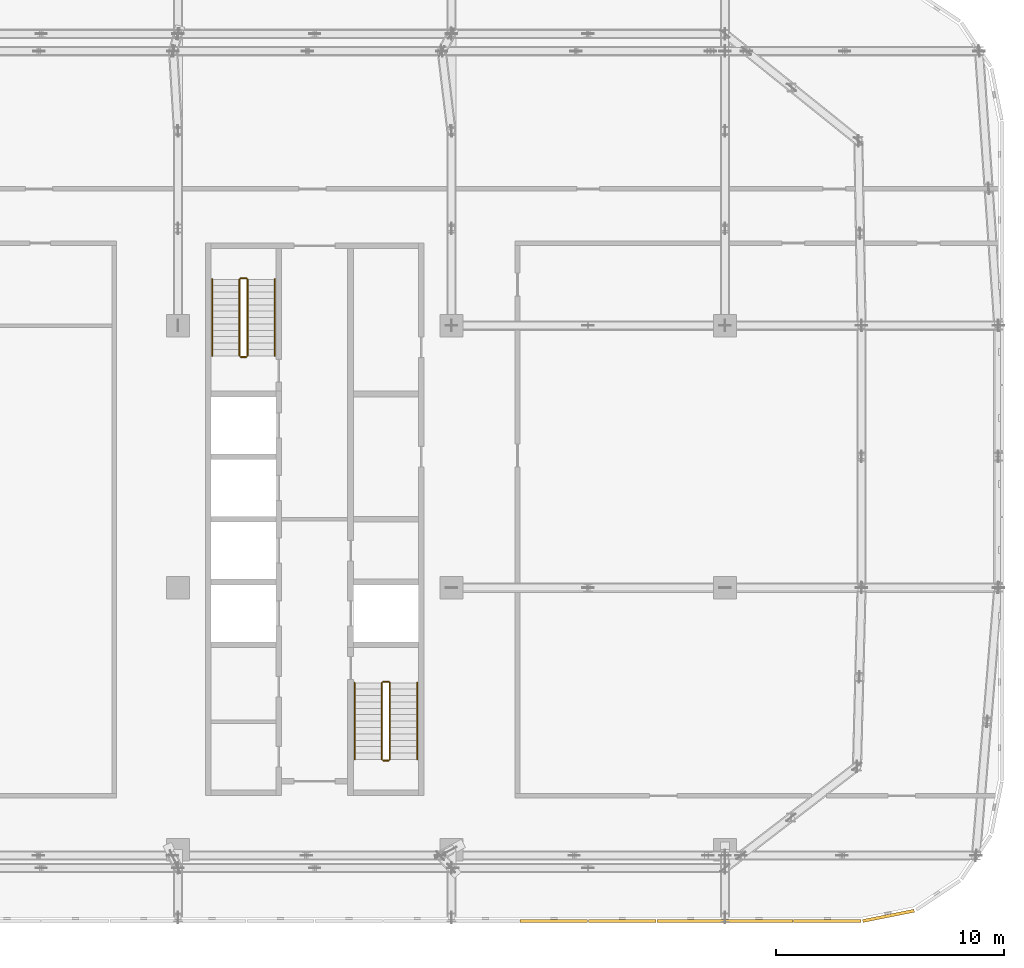
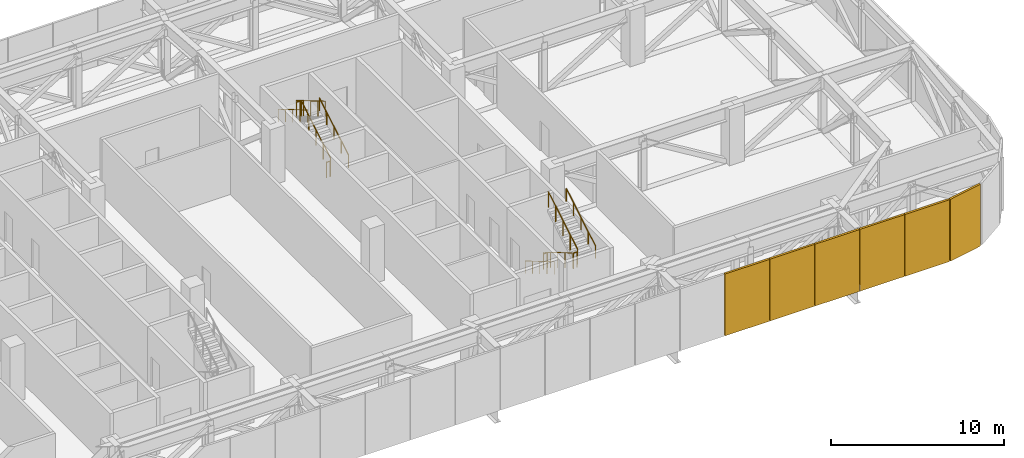
# One storey, part 28 of 29: 12 railings, 6 coverings.
"""IFC4 building model written with IfcOpenShell, lengths in metres."""

from ifc_helpers import new_model, si_unit, direction, frame, origin, origin_2d, place, context, subcontext, project, spatial, rectangle, circle, extrude, material, type_object, element, save


model = new_model("IFC4")

# Units and contexts
model_context = context("Model", 3, precision=1e-05, world=origin(), true_north=direction((0.0, 1.0)))
body_context = subcontext(model_context, "Body", "Model", "MODEL_VIEW")
ifc_project = project(units=[si_unit("LENGTHUNIT", "METRE"), si_unit("AREAUNIT", "SQUARE_METRE"), si_unit("VOLUMEUNIT", "CUBIC_METRE"), si_unit("PLANEANGLEUNIT", "RADIAN"), si_unit("MASSUNIT", "GRAM", prefix="KILO")], contexts=[model_context])

# Site, building, storey
site_placement = place(None, origin())
site = spatial("IfcSite", under=ifc_project, at=site_placement, CompositionType="ELEMENT")
building_placement = place(site_placement, origin())
building = spatial("IfcBuilding", under=site, at=building_placement, Name="Mahtab Terrace Research Tower", CompositionType="ELEMENT")
storey_placement = place(building_placement, frame((0.0, 0.0, 259.0)))
storey = spatial("IfcBuildingStorey", under=building, at=storey_placement, Name="L63", CompositionType="ELEMENT", Elevation=259.0)

# Coverings
ifc_material_1 = material(Name="Natural anodised aluminium", Category="aluminium")
covering_type = type_object("IfcCoveringType", Name="Plant storey louvre bay", PredefinedType="CLADDING", material=ifc_material_1)
for number, where, z_axis, x_axis, name in (
    (1, (34.5, -14.633056640625, -0.39990234375), (0.0, 0.0, 1.0), (1.0, 0.0, 0.0), "Louvre bay L63 25"),
    (2, (37.5, -14.633056640625, -0.39990234375), (0.0, 0.0, 1.0), (1.0, 0.0, 0.0), "Louvre bay L63 26"),
    (3, (40.5, -14.633056640625, -0.39990234375), (0.0, 0.0, 1.0), (1.0, 0.0, 0.0), "Louvre bay L63 27"),
    (4, (43.5, -14.633056640625, -0.39990234375), (0.0, 0.0, 1.0), (1.0, 0.0, 0.0), "Louvre bay L63 28"),
    (5, (46.5, -14.633056640625, -0.39990234375), (0.0, 0.0, 1.0), (1.0, 0.0, 0.0), "Louvre bay L63 29"),
):
    element("IfcCovering", number, at=place(storey_placement, frame(where, z_axis=z_axis, x_axis=x_axis)), inside=storey, type_object=covering_type, Name=name, PredefinedType="CLADDING", context=body_context, shape_type="SweptSolid", body=[
        extrude(rectangle(XDim=2.9599609375, YDim=0.139892578125, at=origin_2d()), origin(), (0.0, 0.0, 1.0), 4.360107421875),
    ])
covering_placement = place(storey_placement, frame((49.17919921875, -14.4013671875, -0.39990234375), z_axis=(0.0, 0.0, 1.0), x_axis=(0.980760981187, 0.195212442692, 0.0)))
element("IfcCovering", 6, at=covering_placement, inside=storey, type_object=covering_type, Name="Louvre bay L63 30", PredefinedType="CLADDING", context=body_context, shape_type="SweptSolid", body=[
    extrude(rectangle(XDim=2.301025390625, YDim=0.139892578125, at=origin_2d()), origin(), (0.0, 0.0, 1.0), 4.360107421875),
])

# Railings
ifc_material_2 = material(Name="Stainless steel AISI 304", Category="steel")
railing_type_1 = type_object("IfcRailingType", Name="Stair guard 1100", PredefinedType="GUARDRAIL", material=ifc_material_2)
railing_1_placement = place(storey_placement, frame((21.050048828125, 10.175048828125, 0.165283203125)))
element("IfcRailing", 7, at=railing_1_placement, inside=storey, type_object=railing_type_1, Name="L63 ST3 stair guard 1", PredefinedType="GUARDRAIL", context=body_context, shape_type="SweptSolid", body=[
    extrude(circle(Radius=0.02392578125, at=origin_2d()), frame((0.0, 0.0, 1.076171875), z_axis=(0.0, 0.861011212953, 0.508585972249), x_axis=(-1.0, 0.0, 0.0)), (0.0, 0.0, 1.0), 3.90234375),
    extrude(circle(Radius=0.02099609375, at=origin_2d()), origin(), (0.0, 0.0, 1.0), 1.052001953125),
    extrude(circle(Radius=0.02099609375, at=origin_2d()), frame((0.0, 0.83984375, 0.49609375)), (0.0, 0.0, 1.0), 1.052001953125),
    extrude(circle(Radius=0.02099609375, at=origin_2d()), frame((0.0, 1.679931640625, 0.9921875)), (0.0, 0.0, 1.0), 1.052001953125),
    extrude(circle(Radius=0.02099609375, at=origin_2d()), frame((0.0, 2.52001953125, 1.488525390625)), (0.0, 0.0, 1.0), 1.052001953125),
    extrude(circle(Radius=0.02099609375, at=origin_2d()), frame((0.0, 3.35986328125, 1.984619140625)), (0.0, 0.0, 1.0), 1.052001953125),
])
railing_2_placement = place(storey_placement, frame((21.0, 13.5849609375, 2.14990234375)))
element("IfcRailing", 8, at=railing_2_placement, inside=storey, type_object=railing_type_1, Name="L63 ST3 stair guard 2", PredefinedType="GUARDRAIL", context=body_context, shape_type="SweptSolid", body=[
    extrude(circle(Radius=0.02392578125, at=origin_2d()), frame((0.0, 0.0, 1.076171875), z_axis=(-1.0, 0.0, 0.0), x_axis=(0.0, -1.0, 0.0)), (0.0, 0.0, 1.0), 0.25),
    extrude(circle(Radius=0.02099609375, at=origin_2d()), origin(), (0.0, 0.0, 1.0), 1.052001953125),
    extrude(circle(Radius=0.02099609375, at=origin_2d()), frame((-0.25, 0.0, 0.0)), (0.0, 0.0, 1.0), 1.052001953125),
])
railing_3_placement = place(storey_placement, frame((20.699951171875, 13.534912109375, 2.3154296875)))
element("IfcRailing", 9, at=railing_3_placement, inside=storey, type_object=railing_type_1, Name="L63 ST3 stair guard 3", PredefinedType="GUARDRAIL", context=body_context, shape_type="SweptSolid", body=[
    extrude(circle(Radius=0.02392578125, at=origin_2d()), frame((0.0, 0.0, 1.076171875), z_axis=(0.0, -0.861011212953, 0.508585972249), x_axis=(1.0, 0.0, 0.0)), (0.0, 0.0, 1.0), 3.90234375),
    extrude(circle(Radius=0.02099609375, at=origin_2d()), origin(), (0.0, 0.0, 1.0), 1.052001953125),
    extrude(circle(Radius=0.02099609375, at=origin_2d()), frame((0.0, -0.83984375, 0.49609375)), (0.0, 0.0, 1.0), 1.052001953125),
    extrude(circle(Radius=0.02099609375, at=origin_2d()), frame((0.0, -1.679931640625, 0.9921875)), (0.0, 0.0, 1.0), 1.052001953125),
    extrude(circle(Radius=0.02099609375, at=origin_2d()), frame((0.0, -2.52001953125, 1.488525390625)), (0.0, 0.0, 1.0), 1.052001953125),
    extrude(circle(Radius=0.02099609375, at=origin_2d()), frame((0.0, -3.35986328125, 1.984619140625)), (0.0, 0.0, 1.0), 1.052001953125),
])
railing_4_placement = place(storey_placement, frame((21.0, 10.125, 0.0)))
element("IfcRailing", 10, at=railing_4_placement, inside=storey, type_object=railing_type_1, Name="L63 ST3 stair guard 4", PredefinedType="GUARDRAIL", context=body_context, shape_type="SweptSolid", body=[
    extrude(circle(Radius=0.02392578125, at=origin_2d()), frame((0.0, 0.0, 1.076171875), z_axis=(-1.0, 0.0, 0.0), x_axis=(0.0, -1.0, 0.0)), (0.0, 0.0, 1.0), 0.25),
    extrude(circle(Radius=0.02099609375, at=origin_2d()), origin(), (0.0, 0.0, 1.0), 1.052001953125),
    extrude(circle(Radius=0.02099609375, at=origin_2d()), frame((-0.25, 0.0, 0.0)), (0.0, 0.0, 1.0), 1.052001953125),
])
railing_5_placement = place(storey_placement, frame((26.949951171875, -4.175048828125, 0.165283203125)))
element("IfcRailing", 11, at=railing_5_placement, inside=storey, type_object=railing_type_1, Name="L63 ST4 stair guard 1", PredefinedType="GUARDRAIL", context=body_context, shape_type="SweptSolid", body=[
    extrude(circle(Radius=0.02392578125, at=origin_2d()), frame((0.0, 0.0, 1.076171875), z_axis=(0.0, -0.861011212953, 0.508585972249), x_axis=(1.0, 0.0, 0.0)), (0.0, 0.0, 1.0), 3.90234375),
    extrude(circle(Radius=0.02099609375, at=origin_2d()), origin(), (0.0, 0.0, 1.0), 1.052001953125),
    extrude(circle(Radius=0.02099609375, at=origin_2d()), frame((0.0, -0.83984375, 0.49609375)), (0.0, 0.0, 1.0), 1.052001953125),
    extrude(circle(Radius=0.02099609375, at=origin_2d()), frame((0.0, -1.679931640625, 0.9921875)), (0.0, 0.0, 1.0), 1.052001953125),
    extrude(circle(Radius=0.02099609375, at=origin_2d()), frame((0.0, -2.52001953125, 1.488525390625)), (0.0, 0.0, 1.0), 1.052001953125),
    extrude(circle(Radius=0.02099609375, at=origin_2d()), frame((0.0, -3.35986328125, 1.984619140625)), (0.0, 0.0, 1.0), 1.052001953125),
])
railing_6_placement = place(storey_placement, frame((27.0, -7.5849609375, 2.14990234375)))
element("IfcRailing", 12, at=railing_6_placement, inside=storey, type_object=railing_type_1, Name="L63 ST4 stair guard 2", PredefinedType="GUARDRAIL", context=body_context, shape_type="SweptSolid", body=[
    extrude(circle(Radius=0.02392578125, at=origin_2d()), frame((0.0, 0.0, 1.076171875), z_axis=(1.0, 0.0, 0.0), x_axis=(0.0, 1.0, 0.0)), (0.0, 0.0, 1.0), 0.25),
    extrude(circle(Radius=0.02099609375, at=origin_2d()), origin(), (0.0, 0.0, 1.0), 1.052001953125),
    extrude(circle(Radius=0.02099609375, at=origin_2d()), frame((0.25, 0.0, 0.0)), (0.0, 0.0, 1.0), 1.052001953125),
])
railing_7_placement = place(storey_placement, frame((27.300048828125, -7.534912109375, 2.3154296875)))
element("IfcRailing", 13, at=railing_7_placement, inside=storey, type_object=railing_type_1, Name="L63 ST4 stair guard 3", PredefinedType="GUARDRAIL", context=body_context, shape_type="SweptSolid", body=[
    extrude(circle(Radius=0.02392578125, at=origin_2d()), frame((0.0, 0.0, 1.076171875), z_axis=(0.0, 0.861011212953, 0.508585972249), x_axis=(-1.0, 0.0, 0.0)), (0.0, 0.0, 1.0), 3.90234375),
    extrude(circle(Radius=0.02099609375, at=origin_2d()), origin(), (0.0, 0.0, 1.0), 1.052001953125),
    extrude(circle(Radius=0.02099609375, at=origin_2d()), frame((0.0, 0.83984375, 0.49609375)), (0.0, 0.0, 1.0), 1.052001953125),
    extrude(circle(Radius=0.02099609375, at=origin_2d()), frame((0.0, 1.679931640625, 0.9921875)), (0.0, 0.0, 1.0), 1.052001953125),
    extrude(circle(Radius=0.02099609375, at=origin_2d()), frame((0.0, 2.52001953125, 1.488525390625)), (0.0, 0.0, 1.0), 1.052001953125),
    extrude(circle(Radius=0.02099609375, at=origin_2d()), frame((0.0, 3.35986328125, 1.984619140625)), (0.0, 0.0, 1.0), 1.052001953125),
])
railing_8_placement = place(storey_placement, frame((27.0, -4.125, 0.0)))
element("IfcRailing", 14, at=railing_8_placement, inside=storey, type_object=railing_type_1, Name="L63 ST4 stair guard 4", PredefinedType="GUARDRAIL", context=body_context, shape_type="SweptSolid", body=[
    extrude(circle(Radius=0.02392578125, at=origin_2d()), frame((0.0, 0.0, 1.076171875), z_axis=(1.0, 0.0, 0.0), x_axis=(0.0, 1.0, 0.0)), (0.0, 0.0, 1.0), 0.25),
    extrude(circle(Radius=0.02099609375, at=origin_2d()), origin(), (0.0, 0.0, 1.0), 1.052001953125),
    extrude(circle(Radius=0.02099609375, at=origin_2d()), frame((0.25, 0.0, 0.0)), (0.0, 0.0, 1.0), 1.052001953125),
])
railing_type_2 = type_object("IfcRailingType", Name="Stair handrail 900", PredefinedType="HANDRAIL", material=ifc_material_2)
railing_9_placement = place(storey_placement, frame((22.25, 10.175048828125, 0.165283203125)))
element("IfcRailing", 15, at=railing_9_placement, inside=storey, type_object=railing_type_2, Name="L63 ST3 stair handrail 1", PredefinedType="HANDRAIL", context=body_context, shape_type="SweptSolid", body=[
    extrude(circle(Radius=0.02392578125, at=origin_2d()), frame((0.0, 0.0, 0.8759765625), z_axis=(0.0, 0.861011212953, 0.508585972249), x_axis=(-1.0, 0.0, 0.0)), (0.0, 0.0, 1.0), 3.90234375),
    extrude(circle(Radius=0.02099609375, at=origin_2d()), origin(), (0.0, 0.0, 1.0), 0.851806640625),
    extrude(circle(Radius=0.02099609375, at=origin_2d()), frame((0.0, 0.83984375, 0.49609375)), (0.0, 0.0, 1.0), 0.851806640625),
    extrude(circle(Radius=0.02099609375, at=origin_2d()), frame((0.0, 1.679931640625, 0.9921875)), (0.0, 0.0, 1.0), 0.851806640625),
    extrude(circle(Radius=0.02099609375, at=origin_2d()), frame((0.0, 2.52001953125, 1.488525390625)), (0.0, 0.0, 1.0), 0.851806640625),
    extrude(circle(Radius=0.02099609375, at=origin_2d()), frame((0.0, 3.35986328125, 1.984619140625)), (0.0, 0.0, 1.0), 0.851806640625),
])
for number, where, name in (
    (16, (19.5, 13.534912109375, 2.3154296875), "L63 ST3 stair handrail 2"),
    (17, (25.75, -4.175048828125, 0.165283203125), "L63 ST4 stair handrail 1"),
):
    element("IfcRailing", number, at=place(storey_placement, frame(where)), inside=storey, type_object=railing_type_2, Name=name, PredefinedType="HANDRAIL", context=body_context, shape_type="SweptSolid", body=[
        extrude(circle(Radius=0.02392578125, at=origin_2d()), frame((0.0, 0.0, 0.8759765625), z_axis=(0.0, -0.861011212953, 0.508585972249), x_axis=(1.0, 0.0, 0.0)), (0.0, 0.0, 1.0), 3.90234375),
        extrude(circle(Radius=0.02099609375, at=origin_2d()), origin(), (0.0, 0.0, 1.0), 0.851806640625),
        extrude(circle(Radius=0.02099609375, at=origin_2d()), frame((0.0, -0.83984375, 0.49609375)), (0.0, 0.0, 1.0), 0.851806640625),
        extrude(circle(Radius=0.02099609375, at=origin_2d()), frame((0.0, -1.679931640625, 0.9921875)), (0.0, 0.0, 1.0), 0.851806640625),
        extrude(circle(Radius=0.02099609375, at=origin_2d()), frame((0.0, -2.52001953125, 1.488525390625)), (0.0, 0.0, 1.0), 0.851806640625),
        extrude(circle(Radius=0.02099609375, at=origin_2d()), frame((0.0, -3.35986328125, 1.984619140625)), (0.0, 0.0, 1.0), 0.851806640625),
    ])
railing_10_placement = place(storey_placement, frame((28.5, -7.534912109375, 2.3154296875)))
element("IfcRailing", 18, at=railing_10_placement, inside=storey, type_object=railing_type_2, Name="L63 ST4 stair handrail 2", PredefinedType="HANDRAIL", context=body_context, shape_type="SweptSolid", body=[
    extrude(circle(Radius=0.02392578125, at=origin_2d()), frame((0.0, 0.0, 0.8759765625), z_axis=(0.0, 0.861011212953, 0.508585972249), x_axis=(-1.0, 0.0, 0.0)), (0.0, 0.0, 1.0), 3.90234375),
    extrude(circle(Radius=0.02099609375, at=origin_2d()), origin(), (0.0, 0.0, 1.0), 0.851806640625),
    extrude(circle(Radius=0.02099609375, at=origin_2d()), frame((0.0, 0.83984375, 0.49609375)), (0.0, 0.0, 1.0), 0.851806640625),
    extrude(circle(Radius=0.02099609375, at=origin_2d()), frame((0.0, 1.679931640625, 0.9921875)), (0.0, 0.0, 1.0), 0.851806640625),
    extrude(circle(Radius=0.02099609375, at=origin_2d()), frame((0.0, 2.52001953125, 1.488525390625)), (0.0, 0.0, 1.0), 0.851806640625),
    extrude(circle(Radius=0.02099609375, at=origin_2d()), frame((0.0, 3.35986328125, 1.984619140625)), (0.0, 0.0, 1.0), 0.851806640625),
])

save(model, "model.ifc")
